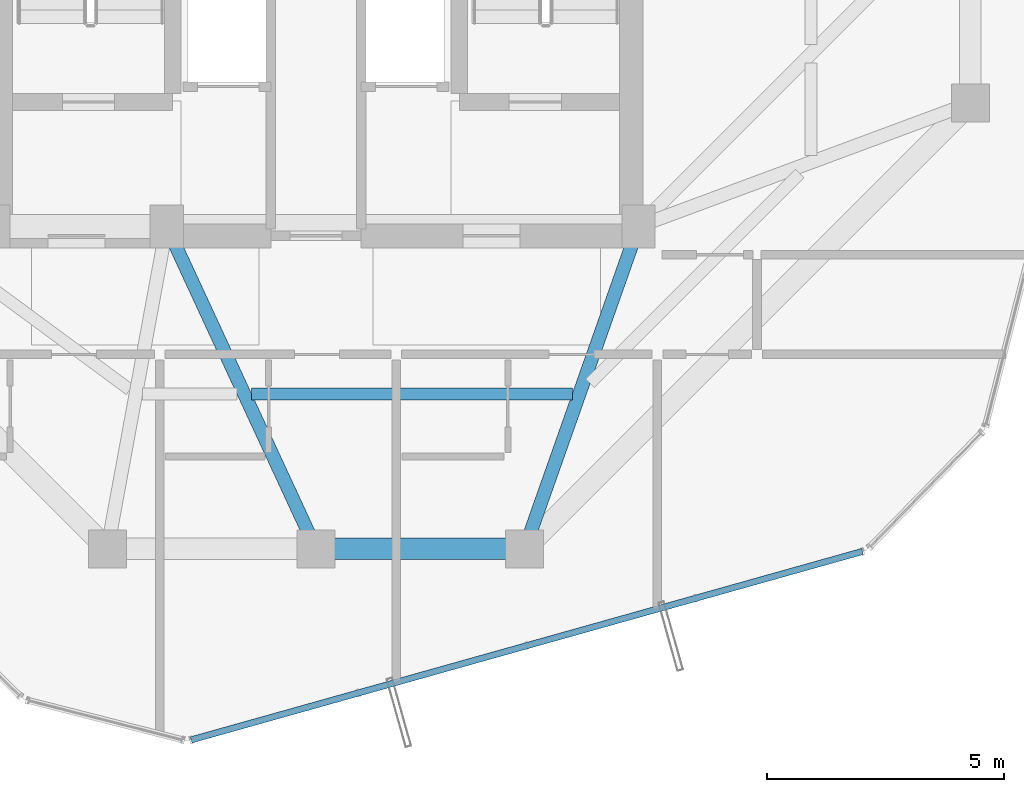
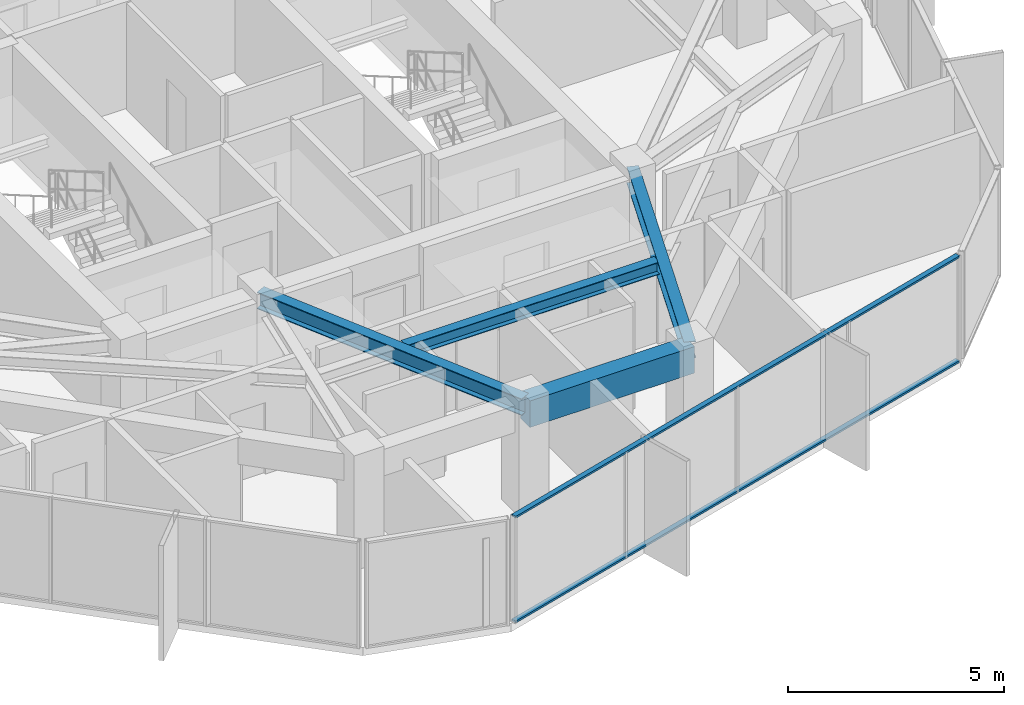
# One storey, part 9 of 29: 4 beams, 2 members, 1 element without a shape of its own.
"""IFC4 building model written with IfcOpenShell, lengths in metres."""

from ifc_helpers import new_model, si_unit, direction, frame, origin, origin_2d, place, context, subcontext, project, spatial, rectangle, hollow_rectangle, i_section, extrude, source, transform, mapped, material, layer, layer_set, material_profile, profile_set, type_object, element, aggregate, save


model = new_model("IFC4")

# Units and contexts
model_context = context("Model", 3, precision=1e-05, world=origin(), true_north=direction((0.0, 1.0)))
body_context = subcontext(model_context, "Body", "Model", "MODEL_VIEW")
ifc_project = project(units=[si_unit("LENGTHUNIT", "METRE"), si_unit("AREAUNIT", "SQUARE_METRE"), si_unit("VOLUMEUNIT", "CUBIC_METRE"), si_unit("PLANEANGLEUNIT", "RADIAN"), si_unit("MASSUNIT", "GRAM", prefix="KILO")], contexts=[model_context])

# Site, building, storey
site_placement = place(None, origin())
site = spatial("IfcSite", under=ifc_project, at=site_placement, CompositionType="ELEMENT")
building_placement = place(site_placement, origin())
building = spatial("IfcBuilding", under=site, at=building_placement, Name="Veraguas Prism Commons", CompositionType="ELEMENT")
storey_placement = place(building_placement, frame((0.0, 0.0, 257.75)))
storey = spatial("IfcBuildingStorey", under=building, at=storey_placement, Name="L73", CompositionType="ELEMENT", Elevation=257.75)

# Beams
ifc_material_1 = material(Name="Concrete C50/60", Category="concrete")
ifc_material_profile_1 = material_profile(ifc_material_1, rectangle(XDim=0.449951171875, YDim=0.75, at=origin_2d()), Name="RC450X750")
ifc_profile_set_1 = profile_set([ifc_material_profile_1], Name="Concrete C50/60")
beam_type_1 = type_object("IfcBeamType", Name="Perimeter Spandrel Upper RC 450x750", PredefinedType="SPANDREL", material=ifc_profile_set_1)
beam_1_placement = place(storey_placement, frame((24.0, 10.199951171875, 2.639892578125), z_axis=(1.0, 0.0, 0.0), x_axis=(0.0, 1.0, 0.0)))
element("IfcBeam", 1, at=beam_1_placement, inside=storey, type_object=beam_type_1, Name="Perimeter Spandrel Beam L73-SP11", PredefinedType="SPANDREL", context=body_context, shape_type="SweptSolid", body=[
    extrude(rectangle(XDim=0.449951171875, YDim=0.75, at=origin_2d()), origin(), (0.0, 0.0, 1.0), 4.39990234375),
])
ifc_material_2 = material(Name="Steel ASTM A992 Grade 50", Category="steel")
ifc_material_profile_2 = material_profile(ifc_material_2, i_section(OverallWidth=0.25390625, OverallDepth=0.35302734375, WebThickness=0.009521484375, FlangeThickness=0.016357421875, at=origin_2d()), Name="W360X91")
ifc_profile_set_2 = profile_set([ifc_material_profile_2], Name="Steel ASTM A992 Grade 50")
beam_type_2 = type_object("IfcBeamType", Name="Upper Floor Joist W360x91", PredefinedType="JOIST", material=ifc_profile_set_2)
beam_2_placement = place(storey_placement, frame((22.6416015625, 13.464111328125, 2.83837890625), z_axis=(1.0, 0.0, 0.0), x_axis=(0.0, 1.0, 0.0)))
element("IfcBeam", 2, at=beam_2_placement, inside=storey, type_object=beam_type_2, Name="Composite Floor Joist L73-JS11", PredefinedType="JOIST", context=body_context, shape_type="SweptSolid", body=[
    extrude(i_section(OverallWidth=0.25390625, OverallDepth=0.35302734375, WebThickness=0.009521484375, FlangeThickness=0.016357421875, at=origin_2d()), origin(), (0.0, 0.0, 1.0), 6.762451171875),
])
ifc_material_profile_3 = material_profile(ifc_material_2, i_section(OverallWidth=0.282958984375, OverallDepth=0.471923828125, WebThickness=0.013671875, FlangeThickness=0.022216796875, at=origin_2d()), Name="W460X144")
ifc_profile_set_3 = profile_set([ifc_material_profile_3], Name="Steel ASTM A992 Grade 50")
beam_type_3 = type_object("IfcBeamType", Name="Zone 4 Radial Girder W460x144", PredefinedType="BEAM", material=ifc_profile_set_3)
beam_3_placement = place(storey_placement, frame((24.0, 10.199951171875, 2.779052734375), z_axis=(-0.420313834543, 0.907378796585, 0.0), x_axis=(-0.907378796585, -0.420313834543, 0.0)))
element("IfcBeam", 3, at=beam_3_placement, inside=storey, type_object=beam_type_3, Name="Radial Floor Girder L73-RD11", PredefinedType="BEAM", context=body_context, shape_type="SweptSolid", body=[
    extrude(i_section(OverallWidth=0.282958984375, OverallDepth=0.471923828125, WebThickness=0.013671875, FlangeThickness=0.022216796875, at=origin_2d()), origin(), (0.0, 0.0, 1.0), 7.494140625),
])
beam_4_placement = place(storey_placement, frame((28.39990234375, 10.199951171875, 2.779052734375), z_axis=(0.332836055941, 0.942984708182, 0.0), x_axis=(-0.942984708182, 0.332836055941, 0.0)))
element("IfcBeam", 4, at=beam_4_placement, inside=storey, type_object=beam_type_3, Name="Radial Floor Girder L73-RD12", PredefinedType="BEAM", context=body_context, shape_type="SweptSolid", body=[
    extrude(i_section(OverallWidth=0.282958984375, OverallDepth=0.471923828125, WebThickness=0.013671875, FlangeThickness=0.022216796875, at=origin_2d()), origin(), (0.0, 0.0, 1.0), 7.211181640625),
])

# Curtain wall, members
ifc_material_3 = material(Name="Anodised aluminium EN AW-6063 T6", Category="aluminium")
ifc_layer = layer(ifc_material_3, 0.14990234375, Name="Unitised Flush Curtain Wall Zone 4", Category="aluminium")
ifc_layer_set = layer_set([ifc_layer], Name="Anodised aluminium EN AW-6063 T6")
curtain_wall_type = type_object("IfcCurtainWallType", Name="Unitised Flush Curtain Wall Zone 4", PredefinedType="NOTDEFINED", material=ifc_layer_set)
curtain_wall_placement = place(storey_placement, origin())
curtain_wall = element("IfcCurtainWall", 5, at=curtain_wall_placement, inside=storey, type_object=curtain_wall_type, Name="Tower Facade Curtain Wall L73-F5", PredefinedType="NOTDEFINED")
ifc_material_profile_4 = material_profile(ifc_material_3, hollow_rectangle(XDim=0.054931640625, YDim=0.135009765625, WallThickness=0.0029296875, at=origin_2d()), Name="AL55X135X3")
ifc_profile_set_4 = profile_set([ifc_material_profile_4], Name="Anodised aluminium EN AW-6063 T6")
member_type = type_object("IfcMemberType", Name="Curtain Wall Transom Standard AL 55x135x3", PredefinedType="USERDEFINED", material=ifc_profile_set_4)
shared_shape = source(origin(), body_context, "Body", "SweptSolid", [
    extrude(hollow_rectangle(XDim=0.054931640625, YDim=0.135009765625, WallThickness=0.0029296875, at=origin_2d()), origin(), (0.0, 0.0, 1.0), 14.706298828125),
])
member_1_placement = place(storey_placement, frame((21.36767578125, 6.17041015625, 0.027587890625), z_axis=(0.962781038573, 0.270282577619, 0.0), x_axis=(0.0, 0.0, 1.0)))
member_1 = element("IfcMember", 6, at=member_1_placement, type_object=member_type, Name="CW-Z4 Transom 1", ObjectType="TRANSOM", PredefinedType="USERDEFINED", context=body_context, shape_type="MappedRepresentation", body=[
    mapped(shared_shape, transform((0.0, 0.0, 0.0), scale=1.0)),
])
member_2_placement = place(storey_placement, frame((21.36767578125, 6.17041015625, 2.987548828125), z_axis=(0.962781038573, 0.270282577619, 0.0), x_axis=(0.0, 0.0, 1.0)))
member_2 = element("IfcMember", 7, at=member_2_placement, type_object=member_type, Name="CW-Z4 Transom 2", ObjectType="TRANSOM", PredefinedType="USERDEFINED", context=body_context, shape_type="MappedRepresentation", body=[
    mapped(shared_shape, transform((0.0, 0.0, 0.0), scale=1.0)),
])
aggregate(curtain_wall, [member_1, member_2])

save(model, "model.ifc")
